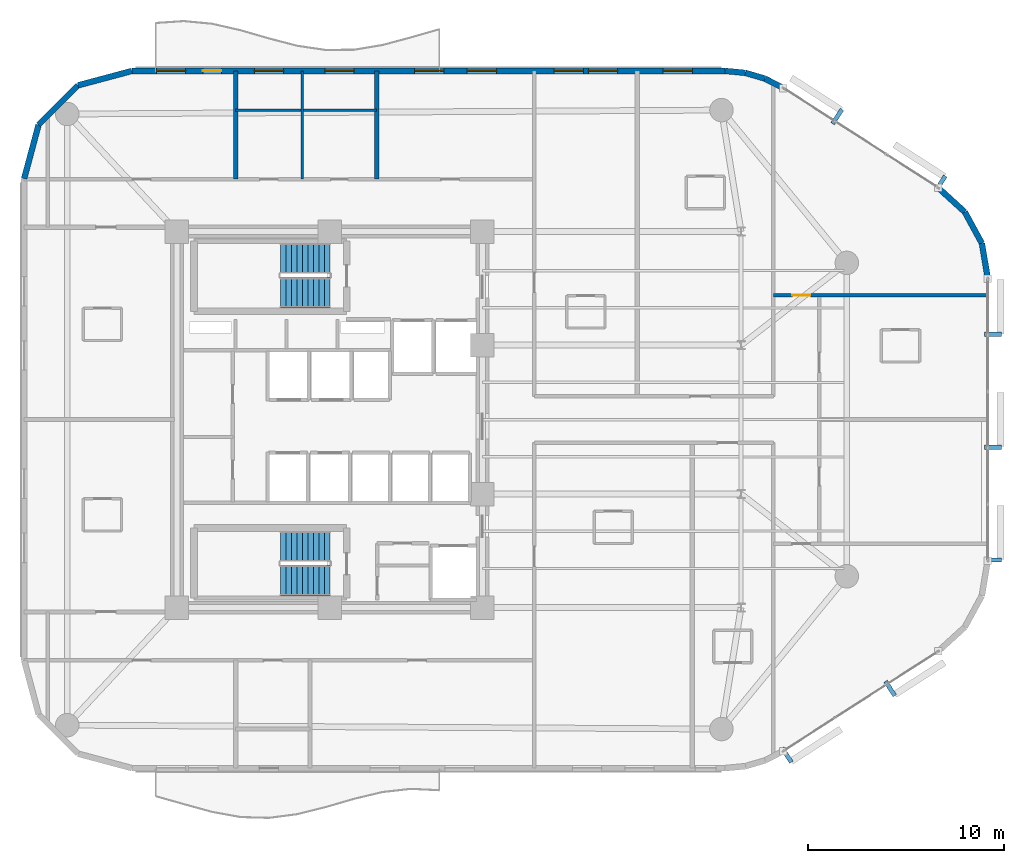
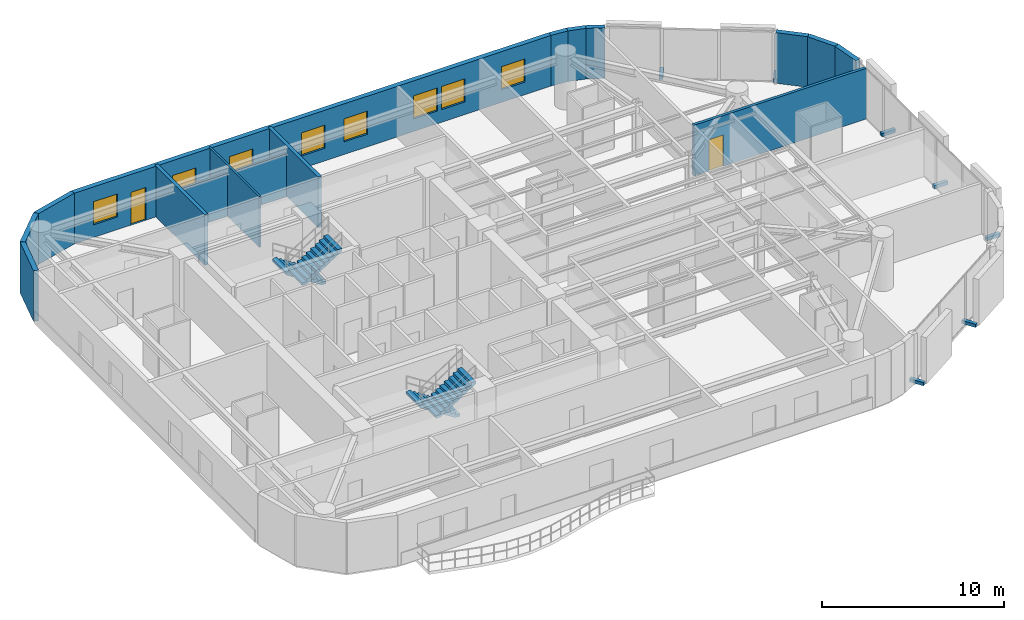
# One storey, part 13 of 15: 15 walls, 8 windows, 7 discrete accessories, 4 stair flights, 2 doors, 10 openings, 2 elements without a shape of their own.
"""IFC4 building model written with IfcOpenShell, lengths in metres."""

from ifc_helpers import new_model, si_unit, direction, frame, frame_2d, origin, origin_2d, place, context, subcontext, project, spatial, polyline, rectangle, outline, extrude, material, layer, layer_set, type_object, element, fill, aggregate, save


model = new_model("IFC4")

# Units and contexts
model_context = context("Model", 3, precision=1e-05, world=origin(), true_north=direction((0.0, 1.0)))
body_context = subcontext(model_context, "Body", "Model", "MODEL_VIEW")
ifc_project = project(units=[si_unit("LENGTHUNIT", "METRE"), si_unit("AREAUNIT", "SQUARE_METRE"), si_unit("VOLUMEUNIT", "CUBIC_METRE"), si_unit("PLANEANGLEUNIT", "RADIAN"), si_unit("MASSUNIT", "GRAM", prefix="KILO")], contexts=[model_context])

# Site, building, storey
site_placement = place(None, origin())
site = spatial("IfcSite", under=ifc_project, at=site_placement, CompositionType="ELEMENT")
building_placement = place(site_placement, origin())
building = spatial("IfcBuilding", under=site, at=building_placement, Name="An Khanh Terracotta Commons", CompositionType="ELEMENT")
storey_placement = place(building_placement, frame((0.0, 0.0, 147.39990234375)))
storey = spatial("IfcBuildingStorey", under=building, at=storey_placement, Name="L38", CompositionType="ELEMENT", Elevation=147.39990234375)

# Wall, opening, door
ifc_material_1 = material(Name="Fire-Rated Gypsum Board on Steel Stud", Category="steel")
ifc_layer_1 = layer(ifc_material_1, 0.179931640625, Name="Fire-Rated Gypsum Board on Steel Stud")
ifc_layer_set_1 = layer_set([ifc_layer_1], Name="Fire-Rated Gypsum Board on Steel Stud")
wall_type_1 = type_object("IfcWallType", Name="WALL-CORR-180", PredefinedType="PARTITIONING", material=ifc_layer_set_1)
wall_1_placement = place(storey_placement, frame((52.050048828125, 30.35009765625, 0.0), z_axis=(0.0, 0.0, 1.0), x_axis=(1.0, 0.0, 0.0)))
wall_1 = element("IfcWall", 1, at=wall_1_placement, inside=storey, type_object=wall_type_1, Name="L38 Interior Partition IW-L38-E009", PredefinedType="PARTITIONING", context=body_context, shape_type="SweptSolid", body=[
    extrude(rectangle(XDim=10.949951171875, YDim=0.179931640625, at=frame_2d((5.47509765625, 0.0))), origin(), (0.0, 0.0, 1.0), 3.400146484375),
])
opening_1_placement = place(wall_1_placement, frame((0.97509765625, 0.0, 0.0)))
opening_1 = element("IfcOpeningElement", 2, at=opening_1_placement, cuts=wall_1, Name="Opening D-RM", PredefinedType="OPENING", context=body_context, shape_type="SweptSolid", body=[
    extrude(rectangle(XDim=0.919921875, YDim=2.10009765625, at=frame_2d((0.4599609375, 1.050048828125))), frame((0.0, 0.099853515625, 0.0), z_axis=(0.0, -1.0, 0.0), x_axis=(1.0, 0.0, 0.0)), (0.0, 0.0, 1.0), 0.199951171875),
])
ifc_material_2 = material(Name="Engineered Hardwood Timber Leaf", Category="wood")
door_type_1 = type_object("IfcDoorType", Name="DOOR-INT-920", OperationType="NOTDEFINED", PredefinedType="DOOR", material=ifc_material_2)
door_1_placement = place(opening_1_placement, origin())
door_1 = element("IfcDoor", 3, at=door_1_placement, inside=storey, type_object=door_type_1, Name="L38 CAPN Quiet Focus Office Door", OperationType="SINGLE_SWING_LEFT", OverallHeight=2.10009765625, OverallWidth=0.919921875, PredefinedType="DOOR", context=body_context, shape_type="SweptSolid", body=[
    extrude(rectangle(XDim=0.919921875, YDim=2.10009765625, at=frame_2d((0.4599609375, 1.050048828125))), frame((0.0, 0.02490234375, 0.0), z_axis=(0.0, -1.0, 0.0), x_axis=(1.0, 0.0, 0.0)), (0.0, 0.0, 1.0), 0.050048828125),
])
fill(opening_1, door_1)

# Walls
ifc_material_3 = material(Name="Precast concrete C40/50", Category="concrete")
ifc_layer_2 = layer(ifc_material_3, 0.300048828125, Name="Precast concrete C40/50")
ifc_layer_set_2 = layer_set([ifc_layer_2], Name="Precast concrete C40/50")
wall_type_2 = type_object("IfcWallType", Name="WALL-EXT-300", PredefinedType="SOLIDWALL", material=ifc_layer_set_2)
wall_2_placement = place(storey_placement, frame((63.0, 31.199951171875, 0.0), z_axis=(0.0, 0.0, 1.0), x_axis=(-0.165724081207, 0.986172159873, 0.0)))
element("IfcWall", 4, at=wall_2_placement, inside=storey, type_object=wall_type_2, Name="L38 Insulated Terracotta Exterior Wall 13", PredefinedType="SOLIDWALL", context=body_context, shape_type="SweptSolid", body=[
    extrude(rectangle(XDim=1.822265625, YDim=0.300048828125, at=frame_2d((0.9111328125, 0.0))), origin(), (0.0, 0.0, 1.0), 3.400146484375),
])
wall_3_placement = place(storey_placement, frame((62.697998046875, 32.9970703125, 0.0), z_axis=(0.0, 0.0, 1.0), x_axis=(-0.478608030646, 0.878028674362, 0.0)))
element("IfcWall", 5, at=wall_3_placement, inside=storey, type_object=wall_type_2, Name="L38 Insulated Terracotta Exterior Wall 14", PredefinedType="SOLIDWALL", context=body_context, shape_type="SweptSolid", body=[
    extrude(rectangle(XDim=1.822021484375, YDim=0.300048828125, at=frame_2d((0.9111328125, 0.0))), origin(), (0.0, 0.0, 1.0), 3.400146484375),
])
wall_4_placement = place(storey_placement, frame((61.825927734375, 34.596923828125, 0.0), z_axis=(0.0, 0.0, 1.0), x_axis=(-0.73947929393, 0.673179302897, 0.0)))
element("IfcWall", 6, at=wall_4_placement, inside=storey, type_object=wall_type_2, Name="L38 Insulated Terracotta Exterior Wall 15", PredefinedType="SOLIDWALL", context=body_context, shape_type="SweptSolid", body=[
    extrude(rectangle(XDim=1.82275390625, YDim=0.300048828125, at=frame_2d((0.911376953125, 0.0))), origin(), (0.0, 0.0, 1.0), 3.400146484375),
])
wall_5_placement = place(storey_placement, frame((52.56005859375, 40.924072265625, 0.0), z_axis=(0.0, 0.0, 1.0), x_axis=(-0.888283247196, 0.459296062198, 0.0)))
element("IfcWall", 7, at=wall_5_placement, inside=storey, type_object=wall_type_2, Name="L38 Insulated Terracotta Exterior Wall 17", PredefinedType="SOLIDWALL", context=body_context, shape_type="SweptSolid", body=[
    extrude(rectangle(XDim=1.047119140625, YDim=0.300048828125, at=frame_2d((0.5234375, 0.0))), origin(), (0.0, 0.0, 1.0), 3.400146484375),
])
wall_6_placement = place(storey_placement, frame((51.6298828125, 41.405029296875, 0.0), z_axis=(0.0, 0.0, 1.0), x_axis=(-0.959528674476, 0.281610942363, 0.0)))
element("IfcWall", 8, at=wall_6_placement, inside=storey, type_object=wall_type_2, Name="L38 Insulated Terracotta Exterior Wall 18", PredefinedType="SOLIDWALL", context=body_context, shape_type="SweptSolid", body=[
    extrude(rectangle(XDim=1.04736328125, YDim=0.300048828125, at=frame_2d((0.523681640625, 0.0))), origin(), (0.0, 0.0, 1.0), 3.400146484375),
])
wall_7_placement = place(storey_placement, frame((50.625, 41.699951171875, 0.0), z_axis=(0.0, 0.0, 1.0), x_axis=(-0.995426089968, 0.095534807324, 0.0)))
element("IfcWall", 9, at=wall_7_placement, inside=storey, type_object=wall_type_2, Name="L38 Insulated Terracotta Exterior Wall 19", PredefinedType="SOLIDWALL", context=body_context, shape_type="SweptSolid", body=[
    extrude(rectangle(XDim=1.0478515625, YDim=0.300048828125, at=frame_2d((0.52392578125, 0.0))), origin(), (0.0, 0.0, 1.0), 3.400146484375),
])

# Wall, openings, door, windows
wall_8_placement = place(storey_placement, frame((49.58203125, 41.800048828125, 0.0), z_axis=(0.0, 0.0, 1.0), x_axis=(-1.0, 0.0, 0.0)))
wall_8 = element("IfcWall", 10, at=wall_8_placement, inside=storey, type_object=wall_type_2, Name="L38 Insulated Terracotta Exterior Wall 20", PredefinedType="SOLIDWALL", context=body_context, shape_type="SweptSolid", body=[
    extrude(rectangle(XDim=30.281982421875, YDim=0.300048828125, at=frame_2d((15.14111328125, 0.0))), origin(), (0.0, 0.0, 1.0), 3.400146484375),
])
opening_2_placement = place(wall_8_placement, frame((25.70703125, 0.0, 0.0)))
opening_2 = element("IfcOpeningElement", 11, at=opening_2_placement, cuts=wall_8, Name="Opening D-BAL", PredefinedType="OPENING", context=body_context, shape_type="SweptSolid", body=[
    extrude(rectangle(XDim=0.949951171875, YDim=2.199951171875, at=frame_2d((0.47509765625, 1.10009765625))), frame((0.0, 0.159912109375, 0.0), z_axis=(0.0, -1.0, 0.0), x_axis=(1.0, 0.0, 0.0)), (0.0, 0.0, 1.0), 0.320068359375),
])
opening_3_placement = place(wall_8_placement, frame((1.660888671875, 0.0, 0.85009765625)))
opening_3 = element("IfcOpeningElement", 12, at=opening_3_placement, cuts=wall_8, Name="Opening W-03", PredefinedType="OPENING", context=body_context, shape_type="SweptSolid", body=[
    extrude(rectangle(XDim=1.5, YDim=1.550048828125, at=frame_2d((0.75, 0.77490234375))), frame((0.0, 0.159912109375, 0.0), z_axis=(0.0, -1.0, 0.0), x_axis=(1.0, 0.0, 0.0)), (0.0, 0.0, 1.0), 0.320068359375),
])
opening_4_placement = place(wall_8_placement, frame((5.47607421875, 0.0, 0.85009765625)))
opening_4 = element("IfcOpeningElement", 13, at=opening_4_placement, cuts=wall_8, Name="Opening W-03", PredefinedType="OPENING", context=body_context, shape_type="SweptSolid", body=[
    extrude(rectangle(XDim=1.5, YDim=1.550048828125, at=frame_2d((0.75, 0.77490234375))), frame((0.0, 0.159912109375, 0.0), z_axis=(0.0, -1.0, 0.0), x_axis=(1.0, 0.0, 0.0)), (0.0, 0.0, 1.0), 0.320068359375),
])
opening_5_placement = place(wall_8_placement, frame((7.22900390625, 0.0, 0.85009765625)))
opening_5 = element("IfcOpeningElement", 14, at=opening_5_placement, cuts=wall_8, Name="Opening W-03", PredefinedType="OPENING", context=body_context, shape_type="SweptSolid", body=[
    extrude(rectangle(XDim=1.5, YDim=1.550048828125, at=frame_2d((0.75, 0.77490234375))), frame((0.0, 0.159912109375, 0.0), z_axis=(0.0, -1.0, 0.0), x_axis=(1.0, 0.0, 0.0)), (0.0, 0.0, 1.0), 0.320068359375),
])
opening_6_placement = place(wall_8_placement, frame((11.6650390625, 0.0, 0.85009765625)))
opening_6 = element("IfcOpeningElement", 15, at=opening_6_placement, cuts=wall_8, Name="Opening W-03", PredefinedType="OPENING", context=body_context, shape_type="SweptSolid", body=[
    extrude(rectangle(XDim=1.5, YDim=1.550048828125, at=frame_2d((0.75, 0.77490234375))), frame((0.0, 0.159912109375, 0.0), z_axis=(0.0, -1.0, 0.0), x_axis=(1.0, 0.0, 0.0)), (0.0, 0.0, 1.0), 0.320068359375),
])
opening_7_placement = place(wall_8_placement, frame((14.34912109375, 0.0, 0.85009765625)))
opening_7 = element("IfcOpeningElement", 16, at=opening_7_placement, cuts=wall_8, Name="Opening W-03", PredefinedType="OPENING", context=body_context, shape_type="SweptSolid", body=[
    extrude(rectangle(XDim=1.5, YDim=1.550048828125, at=frame_2d((0.75, 0.77490234375))), frame((0.0, 0.159912109375, 0.0), z_axis=(0.0, -1.0, 0.0), x_axis=(1.0, 0.0, 0.0)), (0.0, 0.0, 1.0), 0.320068359375),
])
opening_8_placement = place(wall_8_placement, frame((18.931884765625, 0.0, 0.85009765625)))
opening_8 = element("IfcOpeningElement", 17, at=opening_8_placement, cuts=wall_8, Name="Opening W-03", PredefinedType="OPENING", context=body_context, shape_type="SweptSolid", body=[
    extrude(rectangle(XDim=1.5, YDim=1.550048828125, at=frame_2d((0.75, 0.77490234375))), frame((0.0, 0.159912109375, 0.0), z_axis=(0.0, -1.0, 0.0), x_axis=(1.0, 0.0, 0.0)), (0.0, 0.0, 1.0), 0.320068359375),
])
opening_9_placement = place(wall_8_placement, frame((22.531982421875, 0.0, 0.85009765625)))
opening_9 = element("IfcOpeningElement", 18, at=opening_9_placement, cuts=wall_8, Name="Opening W-03", PredefinedType="OPENING", context=body_context, shape_type="SweptSolid", body=[
    extrude(rectangle(XDim=1.5, YDim=1.550048828125, at=frame_2d((0.75, 0.77490234375))), frame((0.0, 0.159912109375, 0.0), z_axis=(0.0, -1.0, 0.0), x_axis=(1.0, 0.0, 0.0)), (0.0, 0.0, 1.0), 0.320068359375),
])
opening_10_placement = place(wall_8_placement, frame((27.531982421875, 0.0, 0.85009765625)))
opening_10 = element("IfcOpeningElement", 19, at=opening_10_placement, cuts=wall_8, Name="Opening W-03", PredefinedType="OPENING", context=body_context, shape_type="SweptSolid", body=[
    extrude(rectangle(XDim=1.5, YDim=1.550048828125, at=frame_2d((0.75, 0.77490234375))), frame((0.0, 0.159912109375, 0.0), z_axis=(0.0, -1.0, 0.0), x_axis=(1.0, 0.0, 0.0)), (0.0, 0.0, 1.0), 0.320068359375),
])
ifc_material_4 = material(Name="Thermally Broken Aluminium and Low-E Glass", Category="aluminium")
door_type_2 = type_object("IfcDoorType", Name="DOOR-BALC-950", OperationType="NOTDEFINED", PredefinedType="DOOR", material=ifc_material_4)
door_2_placement = place(opening_2_placement, origin())
door_2 = element("IfcDoor", 20, at=door_2_placement, inside=storey, type_object=door_type_2, Name="L38 N Wave Balcony Glazed Door", OperationType="SINGLE_SWING_RIGHT", OverallHeight=2.199951171875, OverallWidth=0.949951171875, PredefinedType="DOOR", context=body_context, shape_type="SweptSolid", body=[
    extrude(rectangle(XDim=0.949951171875, YDim=2.199951171875, at=frame_2d((0.47509765625, 1.10009765625))), frame((0.0, 0.02490234375, 0.0), z_axis=(0.0, -1.0, 0.0), x_axis=(1.0, 0.0, 0.0)), (0.0, 0.0, 1.0), 0.050048828125),
])
fill(opening_2, door_2)
window_type = type_object("IfcWindowType", Name="WIN-Z3-1500x1550", PartitioningType="DOUBLE_PANEL_VERTICAL", PredefinedType="WINDOW", material=ifc_material_4)
window_1_placement = place(opening_3_placement, origin())
window_1 = element("IfcWindow", 21, at=window_1_placement, inside=storey, type_object=window_type, Name="L38 Operable Casement Window 20.1", OverallHeight=1.550048828125, OverallWidth=1.5, PartitioningType="DOUBLE_PANEL_VERTICAL", PredefinedType="WINDOW", context=body_context, shape_type="SweptSolid", body=[
    extrude(rectangle(XDim=1.5, YDim=1.550048828125, at=frame_2d((0.75, 0.77490234375))), frame((0.0, 0.030029296875, 0.0), z_axis=(0.0, -1.0, 0.0), x_axis=(1.0, 0.0, 0.0)), (0.0, 0.0, 1.0), 0.06005859375),
])
fill(opening_3, window_1)
window_2_placement = place(opening_4_placement, origin())
window_2 = element("IfcWindow", 22, at=window_2_placement, inside=storey, type_object=window_type, Name="L38 Operable Casement Window 20.2", OverallHeight=1.550048828125, OverallWidth=1.5, PartitioningType="DOUBLE_PANEL_VERTICAL", PredefinedType="WINDOW", context=body_context, shape_type="SweptSolid", body=[
    extrude(rectangle(XDim=1.5, YDim=1.550048828125, at=frame_2d((0.75, 0.77490234375))), frame((0.0, 0.030029296875, 0.0), z_axis=(0.0, -1.0, 0.0), x_axis=(1.0, 0.0, 0.0)), (0.0, 0.0, 1.0), 0.06005859375),
])
fill(opening_4, window_2)
window_3_placement = place(opening_5_placement, origin())
window_3 = element("IfcWindow", 23, at=window_3_placement, inside=storey, type_object=window_type, Name="L38 Operable Casement Window 20.3", OverallHeight=1.550048828125, OverallWidth=1.5, PartitioningType="DOUBLE_PANEL_VERTICAL", PredefinedType="WINDOW", context=body_context, shape_type="SweptSolid", body=[
    extrude(rectangle(XDim=1.5, YDim=1.550048828125, at=frame_2d((0.75, 0.77490234375))), frame((0.0, 0.030029296875, 0.0), z_axis=(0.0, -1.0, 0.0), x_axis=(1.0, 0.0, 0.0)), (0.0, 0.0, 1.0), 0.06005859375),
])
fill(opening_5, window_3)
window_4_placement = place(opening_6_placement, origin())
window_4 = element("IfcWindow", 24, at=window_4_placement, inside=storey, type_object=window_type, Name="L38 Operable Casement Window 20.4", OverallHeight=1.550048828125, OverallWidth=1.5, PartitioningType="DOUBLE_PANEL_VERTICAL", PredefinedType="WINDOW", context=body_context, shape_type="SweptSolid", body=[
    extrude(rectangle(XDim=1.5, YDim=1.550048828125, at=frame_2d((0.75, 0.77490234375))), frame((0.0, 0.030029296875, 0.0), z_axis=(0.0, -1.0, 0.0), x_axis=(1.0, 0.0, 0.0)), (0.0, 0.0, 1.0), 0.06005859375),
])
fill(opening_6, window_4)
window_5_placement = place(opening_7_placement, origin())
window_5 = element("IfcWindow", 25, at=window_5_placement, inside=storey, type_object=window_type, Name="L38 Operable Casement Window 20.5", OverallHeight=1.550048828125, OverallWidth=1.5, PartitioningType="DOUBLE_PANEL_VERTICAL", PredefinedType="WINDOW", context=body_context, shape_type="SweptSolid", body=[
    extrude(rectangle(XDim=1.5, YDim=1.550048828125, at=frame_2d((0.75, 0.77490234375))), frame((0.0, 0.030029296875, 0.0), z_axis=(0.0, -1.0, 0.0), x_axis=(1.0, 0.0, 0.0)), (0.0, 0.0, 1.0), 0.06005859375),
])
fill(opening_7, window_5)
window_6_placement = place(opening_8_placement, origin())
window_6 = element("IfcWindow", 26, at=window_6_placement, inside=storey, type_object=window_type, Name="L38 Operable Casement Window 20.6", OverallHeight=1.550048828125, OverallWidth=1.5, PartitioningType="DOUBLE_PANEL_VERTICAL", PredefinedType="WINDOW", context=body_context, shape_type="SweptSolid", body=[
    extrude(rectangle(XDim=1.5, YDim=1.550048828125, at=frame_2d((0.75, 0.77490234375))), frame((0.0, 0.030029296875, 0.0), z_axis=(0.0, -1.0, 0.0), x_axis=(1.0, 0.0, 0.0)), (0.0, 0.0, 1.0), 0.06005859375),
])
fill(opening_8, window_6)
window_7_placement = place(opening_9_placement, origin())
window_7 = element("IfcWindow", 27, at=window_7_placement, inside=storey, type_object=window_type, Name="L38 Operable Casement Window 20.7", OverallHeight=1.550048828125, OverallWidth=1.5, PartitioningType="DOUBLE_PANEL_VERTICAL", PredefinedType="WINDOW", context=body_context, shape_type="SweptSolid", body=[
    extrude(rectangle(XDim=1.5, YDim=1.550048828125, at=frame_2d((0.75, 0.77490234375))), frame((0.0, 0.030029296875, 0.0), z_axis=(0.0, -1.0, 0.0), x_axis=(1.0, 0.0, 0.0)), (0.0, 0.0, 1.0), 0.06005859375),
])
fill(opening_9, window_7)
window_8_placement = place(opening_10_placement, origin())
window_8 = element("IfcWindow", 28, at=window_8_placement, inside=storey, type_object=window_type, Name="L38 Operable Casement Window 20.8", OverallHeight=1.550048828125, OverallWidth=1.5, PartitioningType="DOUBLE_PANEL_VERTICAL", PredefinedType="WINDOW", context=body_context, shape_type="SweptSolid", body=[
    extrude(rectangle(XDim=1.5, YDim=1.550048828125, at=frame_2d((0.75, 0.77490234375))), frame((0.0, 0.030029296875, 0.0), z_axis=(0.0, -1.0, 0.0), x_axis=(1.0, 0.0, 0.0)), (0.0, 0.0, 1.0), 0.06005859375),
])
fill(opening_10, window_8)

# Walls
wall_9_placement = place(storey_placement, frame((19.300048828125, 41.800048828125, 0.0), z_axis=(0.0, 0.0, 1.0), x_axis=(-0.965908238586, -0.258884674387, 0.0)))
element("IfcWall", 29, at=wall_9_placement, inside=storey, type_object=wall_type_2, Name="L38 Insulated Terracotta Exterior Wall 21", PredefinedType="SOLIDWALL", context=body_context, shape_type="SweptSolid", body=[
    extrude(rectangle(XDim=2.84716796875, YDim=0.300048828125, at=frame_2d((1.423583984375, 0.0))), origin(), (0.0, 0.0, 1.0), 3.400146484375),
])
wall_10_placement = place(storey_placement, frame((16.550048828125, 41.06298828125, 0.0), z_axis=(0.0, 0.0, 1.0), x_axis=(-0.707106781187, -0.707106781187, 0.0)))
element("IfcWall", 30, at=wall_10_placement, inside=storey, type_object=wall_type_2, Name="L38 Insulated Terracotta Exterior Wall 22", PredefinedType="SOLIDWALL", context=body_context, shape_type="SweptSolid", body=[
    extrude(rectangle(XDim=2.8466796875, YDim=0.300048828125, at=frame_2d((1.42333984375, 0.0))), origin(), (0.0, 0.0, 1.0), 3.400146484375),
])
wall_11_placement = place(storey_placement, frame((14.537109375, 39.050048828125, 0.0), z_axis=(0.0, 0.0, 1.0), x_axis=(-0.258884674387, -0.965908238586, 0.0)))
element("IfcWall", 31, at=wall_11_placement, inside=storey, type_object=wall_type_2, Name="L38 Insulated Terracotta Exterior Wall 23", PredefinedType="SOLIDWALL", context=body_context, shape_type="SweptSolid", body=[
    extrude(rectangle(XDim=2.84716796875, YDim=0.300048828125, at=frame_2d((1.423583984375, 0.0))), origin(), (0.0, 0.0, 1.0), 3.400146484375),
])
ifc_material_5 = material(Name="Acoustic Double-Stud Gypsum and Mineral Wool")
ifc_layer_3 = layer(ifc_material_5, 0.219970703125, Name="Acoustic Double-Stud Gypsum and Mineral Wool")
ifc_layer_set_3 = layer_set([ifc_layer_3], Name="Acoustic Double-Stud Gypsum and Mineral Wool")
wall_type_3 = type_object("IfcWallType", Name="WALL-PARTY-220", PredefinedType="PARTITIONING", material=ifc_layer_set_3)
for number, where, z_axis, x_axis, name in (
    (32, (24.60009765625, 36.280029296875, 0.0), (0.0, 0.0, 1.0), (0.0, 1.0, 0.0), "L38 Interior Partition IW-L38-E016"),
    (33, (31.800048828125, 36.280029296875, 0.0), (0.0, 0.0, 1.0), (0.0, 1.0, 0.0), "L38 Interior Partition IW-L38-E019"),
):
    element("IfcWall", number, at=place(storey_placement, frame(where, z_axis=z_axis, x_axis=x_axis)), inside=storey, type_object=wall_type_3, Name=name, PredefinedType="PARTITIONING", context=body_context, shape_type="SweptSolid", body=[
        extrude(rectangle(XDim=5.52001953125, YDim=0.219970703125, at=frame_2d((2.760009765625, 0.0))), origin(), (0.0, 0.0, 1.0), 3.400146484375),
    ])
ifc_material_6 = material(Name="Moisture-Resistant Cement Board Partition")
ifc_layer_4 = layer(ifc_material_6, 0.1201171875, Name="Moisture-Resistant Cement Board Partition")
ifc_layer_set_4 = layer_set([ifc_layer_4], Name="Moisture-Resistant Cement Board Partition")
wall_type_4 = type_object("IfcWallType", Name="WALL-WET-120", PredefinedType="PARTITIONING", material=ifc_layer_set_4)
wall_12_placement = place(storey_placement, frame((24.60009765625, 39.800048828125, 0.0), z_axis=(0.0, 0.0, 1.0), x_axis=(1.0, 0.0, 0.0)))
element("IfcWall", 34, at=wall_12_placement, inside=storey, type_object=wall_type_4, Name="L38 Interior Partition IW-L38-E012", PredefinedType="PARTITIONING", context=body_context, shape_type="SweptSolid", body=[
    extrude(rectangle(XDim=7.199951171875, YDim=0.1201171875, at=frame_2d((3.60009765625, 0.0))), origin(), (0.0, 0.0, 1.0), 2.882080078125),
])
wall_13_placement = place(storey_placement, frame((28.0, 36.280029296875, 0.0), z_axis=(0.0, 0.0, 1.0), x_axis=(0.0, 1.0, 0.0)))
element("IfcWall", 35, at=wall_13_placement, inside=storey, type_object=wall_type_4, Name="L38 Interior Partition IW-L38-E017", PredefinedType="PARTITIONING", context=body_context, shape_type="SweptSolid", body=[
    extrude(rectangle(XDim=5.52001953125, YDim=0.1201171875, at=frame_2d((2.760009765625, 0.0))), origin(), (0.0, 0.0, 1.0), 3.400146484375),
])

# Stair, stair flights
stair_type = type_object("IfcStairType", Name="STAIR-CORE-1550", PredefinedType="HALF_TURN_STAIR", material=ifc_material_3)
stair_1_placement = place(storey_placement, origin())
stair_1 = element("IfcStair", 36, at=stair_1_placement, inside=storey, type_object=stair_type, Name="L38 Core Smokeproof Exit Stair ST-01", PredefinedType="HALF_TURN_STAIR")
stair_flight_type = type_object("IfcStairFlightType", Name="FLIGHT-CORE-1550", PredefinedType="STRAIGHT", material=ifc_material_3)
stair_flight_1_placement = place(storey_placement, frame((29.409912109375, 32.22509765625, 0.0), z_axis=(0.0, 0.0, 1.0), x_axis=(-1.0, 0.0, 0.0)))
stair_flight_1 = element("IfcStairFlight", 37, at=stair_flight_1_placement, type_object=stair_flight_type, Name="ST-01 flight 1", NumberOfRisers=10, NumberOfTreads=9, PredefinedType="STRAIGHT", RiserHeight=0.18, TreadLength=0.28, context=body_context, shape_type="SweptSolid", body=[
    extrude(outline(polyline([(0.0, 0.0), (0.0, 0.179931640625), (0.280029296875, 0.179931640625), (0.280029296875, 0.360107421875), (0.56005859375, 0.360107421875), (0.56005859375, 0.5400390625), (0.840087890625, 0.5400390625), (0.840087890625, 0.719970703125), (1.1201171875, 0.719970703125), (1.1201171875, 0.89990234375), (1.39990234375, 0.89990234375), (1.39990234375, 1.080078125), (1.679931640625, 1.080078125), (1.679931640625, 1.260009765625), (1.9599609375, 1.260009765625), (1.9599609375, 1.43994140625), (2.239990234375, 1.43994140625), (2.239990234375, 1.6201171875), (2.52001953125, 1.6201171875), (2.52001953125, 1.800048828125), (2.52001953125, 1.44189453125), (0.277099609375, 0.0), (0.0, 0.0)])), frame((0.0, 0.77490234375, 0.0), z_axis=(0.0, -1.0, 0.0), x_axis=(1.0, 0.0, 0.0)), (0.0, 0.0, 1.0), 1.550048828125),
])
stair_flight_2_placement = place(storey_placement, frame((26.889892578125, 30.47509765625, 1.800048828125), z_axis=(0.0, 0.0, 1.0), x_axis=(1.0, 0.0, 0.0)))
stair_flight_2 = element("IfcStairFlight", 38, at=stair_flight_2_placement, type_object=stair_flight_type, Name="ST-01 flight 2", NumberOfRisers=10, NumberOfTreads=9, PredefinedType="STRAIGHT", RiserHeight=0.18, TreadLength=0.28, context=body_context, shape_type="SweptSolid", body=[
    extrude(outline(polyline([(0.0, 0.0), (0.0, 0.179931640625), (0.280029296875, 0.179931640625), (0.280029296875, 0.360107421875), (0.56005859375, 0.360107421875), (0.56005859375, 0.5400390625), (0.840087890625, 0.5400390625), (0.840087890625, 0.719970703125), (1.1201171875, 0.719970703125), (1.1201171875, 0.89990234375), (1.39990234375, 0.89990234375), (1.39990234375, 1.080078125), (1.679931640625, 1.080078125), (1.679931640625, 1.260009765625), (1.9599609375, 1.260009765625), (1.9599609375, 1.43994140625), (2.239990234375, 1.43994140625), (2.239990234375, 1.6201171875), (2.52001953125, 1.6201171875), (2.52001953125, 1.800048828125), (2.52001953125, 1.44189453125), (0.277099609375, 0.0), (0.0, 0.0)])), frame((0.0, 0.77490234375, 0.0), z_axis=(0.0, -1.0, 0.0), x_axis=(1.0, 0.0, 0.0)), (0.0, 0.0, 1.0), 1.550048828125),
])
aggregate(stair_1, [stair_flight_1, stair_flight_2])

stair_2_placement = place(storey_placement, origin())
stair_2 = element("IfcStair", 39, at=stair_2_placement, inside=storey, type_object=stair_type, Name="L38 Core Smokeproof Exit Stair ST-02", PredefinedType="HALF_TURN_STAIR")
stair_flight_3_placement = place(storey_placement, frame((29.409912109375, 17.52490234375, 0.0), z_axis=(0.0, 0.0, 1.0), x_axis=(-1.0, 0.0, 0.0)))
stair_flight_3 = element("IfcStairFlight", 40, at=stair_flight_3_placement, type_object=stair_flight_type, Name="ST-02 flight 1", NumberOfRisers=10, NumberOfTreads=9, PredefinedType="STRAIGHT", RiserHeight=0.18, TreadLength=0.28, context=body_context, shape_type="SweptSolid", body=[
    extrude(outline(polyline([(0.0, 0.0), (0.0, 0.179931640625), (0.280029296875, 0.179931640625), (0.280029296875, 0.360107421875), (0.56005859375, 0.360107421875), (0.56005859375, 0.5400390625), (0.840087890625, 0.5400390625), (0.840087890625, 0.719970703125), (1.1201171875, 0.719970703125), (1.1201171875, 0.89990234375), (1.39990234375, 0.89990234375), (1.39990234375, 1.080078125), (1.679931640625, 1.080078125), (1.679931640625, 1.260009765625), (1.9599609375, 1.260009765625), (1.9599609375, 1.43994140625), (2.239990234375, 1.43994140625), (2.239990234375, 1.6201171875), (2.52001953125, 1.6201171875), (2.52001953125, 1.800048828125), (2.52001953125, 1.44189453125), (0.277099609375, 0.0), (0.0, 0.0)])), frame((0.0, 0.77490234375, 0.0), z_axis=(0.0, -1.0, 0.0), x_axis=(1.0, 0.0, 0.0)), (0.0, 0.0, 1.0), 1.550048828125),
])
stair_flight_4_placement = place(storey_placement, frame((26.889892578125, 15.77490234375, 1.800048828125), z_axis=(0.0, 0.0, 1.0), x_axis=(1.0, 0.0, 0.0)))
stair_flight_4 = element("IfcStairFlight", 41, at=stair_flight_4_placement, type_object=stair_flight_type, Name="ST-02 flight 2", NumberOfRisers=10, NumberOfTreads=9, PredefinedType="STRAIGHT", RiserHeight=0.18, TreadLength=0.28, context=body_context, shape_type="SweptSolid", body=[
    extrude(outline(polyline([(0.0, 0.0), (0.0, 0.179931640625), (0.280029296875, 0.179931640625), (0.280029296875, 0.360107421875), (0.56005859375, 0.360107421875), (0.56005859375, 0.5400390625), (0.840087890625, 0.5400390625), (0.840087890625, 0.719970703125), (1.1201171875, 0.719970703125), (1.1201171875, 0.89990234375), (1.39990234375, 0.89990234375), (1.39990234375, 1.080078125), (1.679931640625, 1.080078125), (1.679931640625, 1.260009765625), (1.9599609375, 1.260009765625), (1.9599609375, 1.43994140625), (2.239990234375, 1.43994140625), (2.239990234375, 1.6201171875), (2.52001953125, 1.6201171875), (2.52001953125, 1.800048828125), (2.52001953125, 1.44189453125), (0.277099609375, 0.0), (0.0, 0.0)])), frame((0.0, 0.77490234375, 0.0), z_axis=(0.0, -1.0, 0.0), x_axis=(1.0, 0.0, 0.0)), (0.0, 0.0, 1.0), 1.550048828125),
])
aggregate(stair_2, [stair_flight_3, stair_flight_4])

# Discrete accessories
ifc_material_7 = material(Name="Stainless Steel Grade 316L", Category="steel")
discrete_accessory_type = type_object("IfcDiscreteAccessoryType", Name="Stainless Outrigger Facade Bracket", PredefinedType="BRACKET", material=ifc_material_7)
for number, where, z_axis, x_axis, name in (
    (42, (52.73291015625, 6.8720703125, 0.0703125), (0.0, 0.0, 1.0), (0.840702081986, 0.541497931062, 0.0), "L38 Terracotta Screen Outrigger Bracket 1"),
    (43, (58.011962890625, 10.27197265625, 0.0703125), (0.0, 0.0, 1.0), (0.840702081986, 0.541497931062, 0.0), "L38 Terracotta Screen Outrigger Bracket 3"),
    (44, (63.264892578125, 16.8349609375, 0.0703125), (0.0, 0.0, 1.0), (0.0, 1.0, 0.0), "L38 Terracotta Screen Outrigger Bracket 1"),
    (45, (63.264892578125, 22.594970703125, 0.0703125), (0.0, 0.0, 1.0), (0.0, 1.0, 0.0), "L38 Terracotta Screen Outrigger Bracket 3"),
    (46, (63.264892578125, 28.35498046875, 0.0703125), (0.0, 0.0, 1.0), (0.0, 1.0, 0.0), "L38 Terracotta Screen Outrigger Bracket 5"),
    (47, (60.592041015625, 36.06591796875, 0.0703125), (0.0, 0.0, 1.0), (-0.840702081986, 0.541497931062, 0.0), "L38 Terracotta Screen Outrigger Bracket 1"),
    (48, (55.31298828125, 39.466064453125, 0.0703125), (0.0, 0.0, 1.0), (-0.840702081986, 0.541497931062, 0.0), "L38 Terracotta Screen Outrigger Bracket 3"),
):
    element("IfcDiscreteAccessory", number, at=place(storey_placement, frame(where, z_axis=z_axis, x_axis=x_axis)), inside=storey, type_object=discrete_accessory_type, Name=name, PredefinedType="BRACKET", context=body_context, shape_type="SweptSolid", body=[
        extrude(rectangle(XDim=0.219970703125, YDim=0.8701171875, at=origin_2d()), origin(), (0.0, 0.0, 1.0), 0.219970703125),
    ])

save(model, "model.ifc")
